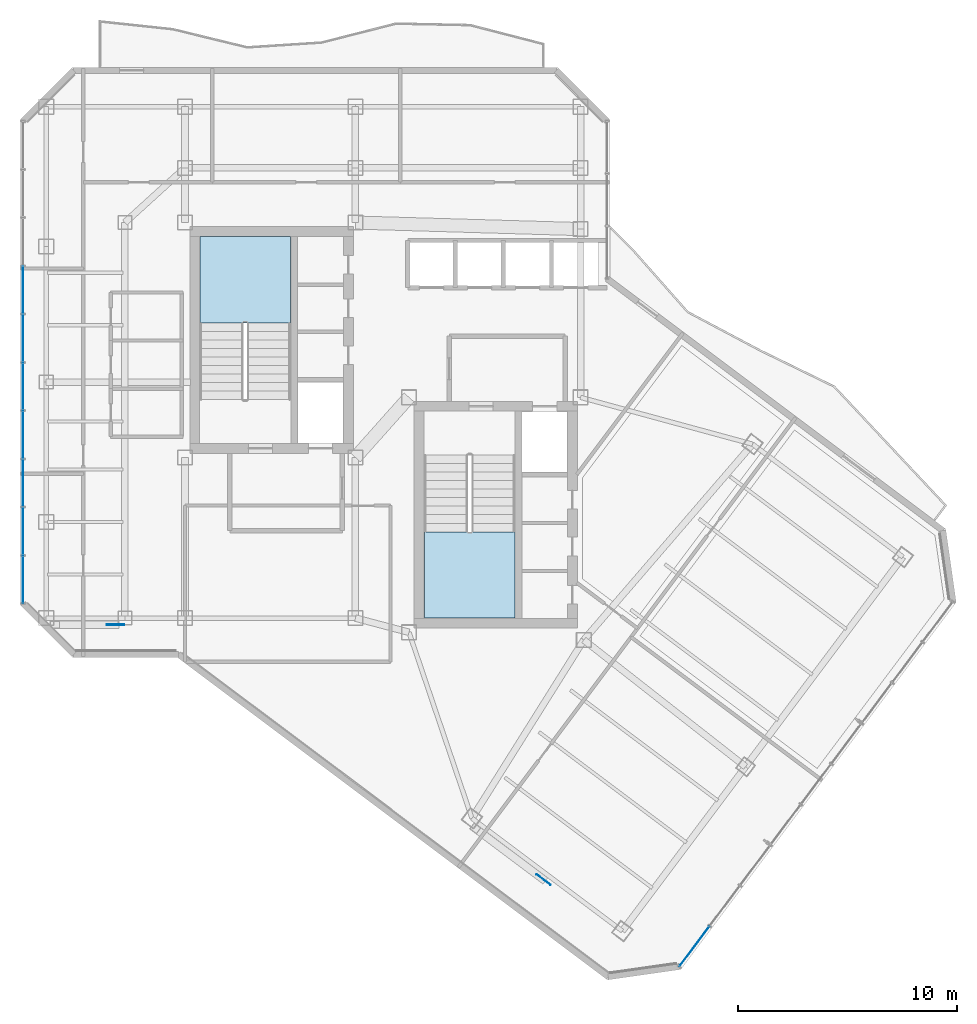
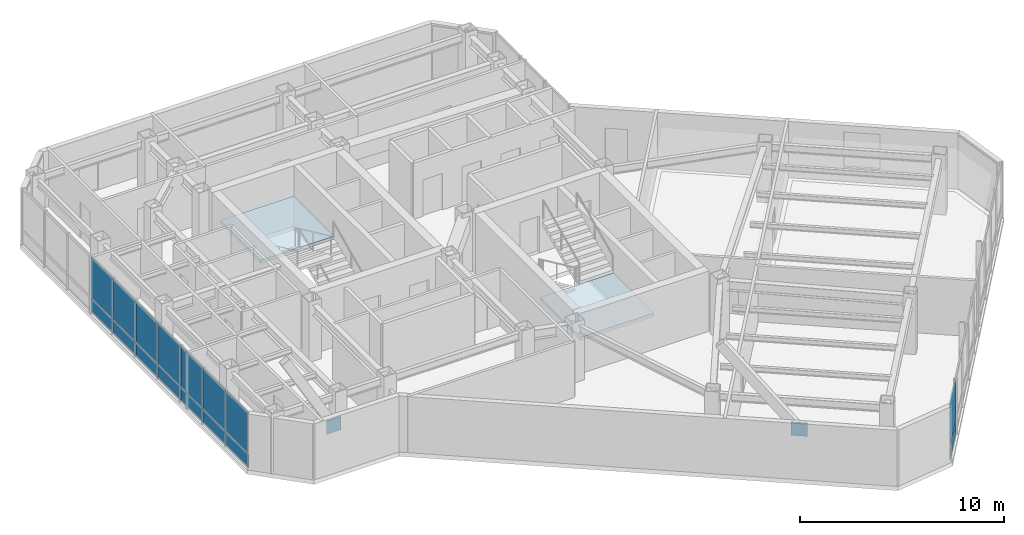
# One storey, part 18 of 25: 18 plates, 2 slabs, 4 elements without a shape of their own.
"""IFC4 building model written with IfcOpenShell, lengths in metres."""

from ifc_helpers import new_model, si_unit, direction, frame, origin, origin_2d, place, context, subcontext, project, spatial, polyline, rectangle, outline, extrude, material, layer, layer_set, type_object, element, aggregate, save


model = new_model("IFC4")

# Units and contexts
model_context = context("Model", 3, precision=1e-05, world=origin(), true_north=direction((0.0, 1.0)))
body_context = subcontext(model_context, "Body", "Model", "MODEL_VIEW")
ifc_project = project(units=[si_unit("LENGTHUNIT", "METRE"), si_unit("AREAUNIT", "SQUARE_METRE"), si_unit("VOLUMEUNIT", "CUBIC_METRE"), si_unit("PLANEANGLEUNIT", "RADIAN"), si_unit("MASSUNIT", "GRAM", prefix="KILO")], contexts=[model_context])

# Site, building, storey
site_placement = place(None, origin())
site = spatial("IfcSite", under=ifc_project, at=site_placement, CompositionType="ELEMENT")
building_placement = place(site_placement, origin())
building = spatial("IfcBuilding", under=site, at=building_placement, Name="Hatsunagi Terrace Concourse", CompositionType="ELEMENT")
storey_placement = place(building_placement, frame((0.0, 0.0, 216.75)))
storey = spatial("IfcBuildingStorey", under=building, at=storey_placement, Name="L57", CompositionType="ELEMENT", Elevation=216.75)

# Curtain wall, plate
ifc_material_1 = material(Name="Anodised Aluminium Alloy 6063-T5", Category="aluminium")
ifc_layer_1 = layer(ifc_material_1, 0.199951171875)
ifc_layer_set_1 = layer_set([ifc_layer_1], Name="OfficeZone2_CW04")
curtain_wall_type = type_object("IfcCurtainWallType", Name="OfficeZone2_CW04", PredefinedType="NOTDEFINED", material=ifc_layer_set_1)
curtain_wall_1_placement = place(storey_placement, origin())
curtain_wall_1 = element("IfcCurtainWall", 1, at=curtain_wall_1_placement, inside=storey, type_object=curtain_wall_type, Name="Unitised Curtain Wall CW-04 CW-L57-03", PredefinedType="NOTDEFINED")
ifc_material_2 = material(Name="Warm Terracotta Ceramic Spandrel Panel", Category="masonry")
ifc_layer_2 = layer(ifc_material_2, 0.031982421875)
ifc_layer_set_2 = layer_set([ifc_layer_2], Name="CurtainWallSpandrelPanel_32")
plate_type_1 = type_object("IfcPlateType", Name="CurtainWallSpandrelPanel_32", PredefinedType="SHEET", material=ifc_layer_set_2)
plate_1_placement = place(storey_placement, frame((48.85888671875, 10.177978515625, 0.030029296875), z_axis=(0.0, 0.0, 1.0), x_axis=(-0.599969314634, -0.800023013105, 0.0)))
plate_1 = element("IfcPlate", 2, at=plate_1_placement, type_object=plate_type_1, Name="Terracotta Spandrel Panel SPN-01", PredefinedType="SHEET", context=body_context, shape_type="SweptSolid", body=[
    extrude(rectangle(XDim=2.264892578125, YDim=0.031982421875, at=origin_2d()), origin(), (0.0, 0.0, 1.0), 0.7900390625),
])

# Curtain wall, plates
curtain_wall_2_placement = place(storey_placement, origin())
curtain_wall_2 = element("IfcCurtainWall", 3, at=curtain_wall_2_placement, inside=storey, type_object=curtain_wall_type, Name="Unitised Curtain Wall CW-04 CW-L57-08", PredefinedType="NOTDEFINED")
plate_2_placement = place(storey_placement, frame((18.139892578125, 26.9619140625, 0.030029296875), z_axis=(0.0, 0.0, 1.0), x_axis=(0.0, 1.0, 0.0)))
plate_2 = element("IfcPlate", 4, at=plate_2_placement, type_object=plate_type_1, Name="Terracotta Spandrel Panel SPN-01", PredefinedType="SHEET", context=body_context, shape_type="SweptSolid", body=[
    extrude(rectangle(XDim=2.153076171875, YDim=0.031982421875, at=origin_2d()), origin(), (0.0, 0.0, 1.0), 0.7900390625),
])
plate_3_placement = place(storey_placement, frame((18.139892578125, 29.1708984375, 0.030029296875), z_axis=(0.0, 0.0, 1.0), x_axis=(0.0, 1.0, 0.0)))
plate_3 = element("IfcPlate", 5, at=plate_3_placement, type_object=plate_type_1, Name="Terracotta Spandrel Panel SPN-01", PredefinedType="SHEET", context=body_context, shape_type="SweptSolid", body=[
    extrude(rectangle(XDim=2.153076171875, YDim=0.031982421875, at=origin_2d()), origin(), (0.0, 0.0, 1.0), 0.7900390625),
])
plate_4_placement = place(storey_placement, frame((18.139892578125, 31.37890625, 0.030029296875), z_axis=(0.0, 0.0, 1.0), x_axis=(0.0, 1.0, 0.0)))
plate_4 = element("IfcPlate", 6, at=plate_4_placement, type_object=plate_type_1, Name="Terracotta Spandrel Panel SPN-01", PredefinedType="SHEET", context=body_context, shape_type="SweptSolid", body=[
    extrude(rectangle(XDim=2.153076171875, YDim=0.031982421875, at=origin_2d()), origin(), (0.0, 0.0, 1.0), 0.7900390625),
])
plate_5_placement = place(storey_placement, frame((18.139892578125, 33.5869140625, 0.030029296875), z_axis=(0.0, 0.0, 1.0), x_axis=(0.0, 1.0, 0.0)))
plate_5 = element("IfcPlate", 7, at=plate_5_placement, type_object=plate_type_1, Name="Terracotta Spandrel Panel SPN-01", PredefinedType="SHEET", context=body_context, shape_type="SweptSolid", body=[
    extrude(rectangle(XDim=2.153076171875, YDim=0.031982421875, at=origin_2d()), origin(), (0.0, 0.0, 1.0), 0.7900390625),
])
plate_6_placement = place(storey_placement, frame((18.139892578125, 35.7958984375, 0.030029296875), z_axis=(0.0, 0.0, 1.0), x_axis=(0.0, 1.0, 0.0)))
plate_6 = element("IfcPlate", 8, at=plate_6_placement, type_object=plate_type_1, Name="Terracotta Spandrel Panel SPN-01", PredefinedType="SHEET", context=body_context, shape_type="SweptSolid", body=[
    extrude(rectangle(XDim=2.153076171875, YDim=0.031982421875, at=origin_2d()), origin(), (0.0, 0.0, 1.0), 0.7900390625),
])
plate_7_placement = place(storey_placement, frame((18.139892578125, 38.00390625, 0.030029296875), z_axis=(0.0, 0.0, 1.0), x_axis=(0.0, 1.0, 0.0)))
plate_7 = element("IfcPlate", 9, at=plate_7_placement, type_object=plate_type_1, Name="Terracotta Spandrel Panel SPN-01", PredefinedType="SHEET", context=body_context, shape_type="SweptSolid", body=[
    extrude(rectangle(XDim=2.153076171875, YDim=0.031982421875, at=origin_2d()), origin(), (0.0, 0.0, 1.0), 0.7900390625),
])
plate_8_placement = place(storey_placement, frame((18.139892578125, 40.212890625, 0.030029296875), z_axis=(0.0, 0.0, 1.0), x_axis=(0.0, 1.0, 0.0)))
plate_8 = element("IfcPlate", 10, at=plate_8_placement, type_object=plate_type_1, Name="Terracotta Spandrel Panel SPN-01", PredefinedType="SHEET", context=body_context, shape_type="SweptSolid", body=[
    extrude(rectangle(XDim=2.153076171875, YDim=0.031982421875, at=origin_2d()), origin(), (0.0, 0.0, 1.0), 0.7900390625),
])

# Plate
ifc_material_3 = material(Name="Low-E Double Insulating Glass 28mm", Category="glass")
ifc_layer_3 = layer(ifc_material_3, 0.028076171875)
ifc_layer_set_3 = layer_set([ifc_layer_3], Name="CurtainWallVisionGlass_28")
plate_type_2 = type_object("IfcPlateType", Name="CurtainWallVisionGlass_28", PredefinedType="CURTAIN_PANEL", material=ifc_layer_set_3)
plate_9_placement = place(storey_placement, frame((48.85888671875, 10.177978515625, 0.880126953125), z_axis=(0.0, 0.0, 1.0), x_axis=(-0.599969314634, -0.800023013105, 0.0)))
plate_9 = element("IfcPlate", 11, at=plate_9_placement, type_object=plate_type_2, Name="Low-E Vision Glass Panel GLZ-01", PredefinedType="CURTAIN_PANEL", context=body_context, shape_type="SweptSolid", body=[
    extrude(rectangle(XDim=2.264892578125, YDim=0.028076171875, at=origin_2d()), origin(), (0.0, 0.0, 1.0), 2.43994140625),
])

aggregate(curtain_wall_1, [plate_1, plate_9])

plate_10_placement = place(storey_placement, frame((18.139892578125, 26.9619140625, 0.880126953125), z_axis=(0.0, 0.0, 1.0), x_axis=(0.0, 1.0, 0.0)))
plate_10 = element("IfcPlate", 12, at=plate_10_placement, type_object=plate_type_2, Name="Low-E Vision Glass Panel GLZ-01", PredefinedType="CURTAIN_PANEL", context=body_context, shape_type="SweptSolid", body=[
    extrude(rectangle(XDim=2.153076171875, YDim=0.028076171875, at=origin_2d()), origin(), (0.0, 0.0, 1.0), 2.43994140625),
])

plate_11_placement = place(storey_placement, frame((18.139892578125, 29.1708984375, 0.880126953125), z_axis=(0.0, 0.0, 1.0), x_axis=(0.0, 1.0, 0.0)))
plate_11 = element("IfcPlate", 13, at=plate_11_placement, type_object=plate_type_2, Name="Low-E Vision Glass Panel GLZ-01", PredefinedType="CURTAIN_PANEL", context=body_context, shape_type="SweptSolid", body=[
    extrude(rectangle(XDim=2.153076171875, YDim=0.028076171875, at=origin_2d()), origin(), (0.0, 0.0, 1.0), 2.43994140625),
])

plate_12_placement = place(storey_placement, frame((18.139892578125, 31.37890625, 0.880126953125), z_axis=(0.0, 0.0, 1.0), x_axis=(0.0, 1.0, 0.0)))
plate_12 = element("IfcPlate", 14, at=plate_12_placement, type_object=plate_type_2, Name="Low-E Vision Glass Panel GLZ-01", PredefinedType="CURTAIN_PANEL", context=body_context, shape_type="SweptSolid", body=[
    extrude(rectangle(XDim=2.153076171875, YDim=0.028076171875, at=origin_2d()), origin(), (0.0, 0.0, 1.0), 2.43994140625),
])

plate_13_placement = place(storey_placement, frame((18.139892578125, 33.5869140625, 0.880126953125), z_axis=(0.0, 0.0, 1.0), x_axis=(0.0, 1.0, 0.0)))
plate_13 = element("IfcPlate", 15, at=plate_13_placement, type_object=plate_type_2, Name="Low-E Vision Glass Panel GLZ-01", PredefinedType="CURTAIN_PANEL", context=body_context, shape_type="SweptSolid", body=[
    extrude(rectangle(XDim=2.153076171875, YDim=0.028076171875, at=origin_2d()), origin(), (0.0, 0.0, 1.0), 2.43994140625),
])

plate_14_placement = place(storey_placement, frame((18.139892578125, 35.7958984375, 0.880126953125), z_axis=(0.0, 0.0, 1.0), x_axis=(0.0, 1.0, 0.0)))
plate_14 = element("IfcPlate", 16, at=plate_14_placement, type_object=plate_type_2, Name="Low-E Vision Glass Panel GLZ-01", PredefinedType="CURTAIN_PANEL", context=body_context, shape_type="SweptSolid", body=[
    extrude(rectangle(XDim=2.153076171875, YDim=0.028076171875, at=origin_2d()), origin(), (0.0, 0.0, 1.0), 2.43994140625),
])

plate_15_placement = place(storey_placement, frame((18.139892578125, 38.00390625, 0.880126953125), z_axis=(0.0, 0.0, 1.0), x_axis=(0.0, 1.0, 0.0)))
plate_15 = element("IfcPlate", 17, at=plate_15_placement, type_object=plate_type_2, Name="Low-E Vision Glass Panel GLZ-01", PredefinedType="CURTAIN_PANEL", context=body_context, shape_type="SweptSolid", body=[
    extrude(rectangle(XDim=2.153076171875, YDim=0.028076171875, at=origin_2d()), origin(), (0.0, 0.0, 1.0), 2.43994140625),
])

plate_16_placement = place(storey_placement, frame((18.139892578125, 40.212890625, 0.880126953125), z_axis=(0.0, 0.0, 1.0), x_axis=(0.0, 1.0, 0.0)))
plate_16 = element("IfcPlate", 18, at=plate_16_placement, type_object=plate_type_2, Name="Low-E Vision Glass Panel GLZ-01", PredefinedType="CURTAIN_PANEL", context=body_context, shape_type="SweptSolid", body=[
    extrude(rectangle(XDim=2.153076171875, YDim=0.028076171875, at=origin_2d()), origin(), (0.0, 0.0, 1.0), 2.43994140625),
])

aggregate(curtain_wall_2, [plate_2, plate_10, plate_3, plate_11, plate_4, plate_12, plate_5, plate_13, plate_6, plate_14, plate_7, plate_15, plate_8, plate_16])

# Stair, slab
ifc_material_4 = material(Name="Concrete Fc42", Category="concrete")
stair_type = type_object("IfcStairType", Name="DoglegExitStair_Tower2000_20R_180", PredefinedType="HALF_TURN_STAIR", material=ifc_material_4)
stair_1_placement = place(storey_placement, origin())
stair_1 = element("IfcStair", 19, at=stair_1_placement, inside=storey, type_object=stair_type, Name="L57 Core A Protected Exit Stair ST-A", PredefinedType="HALF_TURN_STAIR")
ifc_material_5 = material(Name="Concrete Fc42", Category="concrete")
ifc_layer_4 = layer(ifc_material_5, 0.199951171875)
ifc_layer_set_4 = layer_set([ifc_layer_4], Name="DoglegStairLanding_Tower2000")
slab_type = type_object("IfcSlabType", Name="DoglegStairLanding_Tower2000", PredefinedType="LANDING", material=ifc_layer_set_4)
slab_1_placement = place(storey_placement, frame((0.0, 0.0, 1.60009765625)))
slab_1 = element("IfcSlab", 20, at=slab_1_placement, type_object=slab_type, Name="ST-A landing 1", PredefinedType="LANDING", context=body_context, shape_type="SweptSolid", body=[
    extrude(outline(polyline([(30.3798828125, 38.7099609375), (30.3798828125, 42.659912109375), (26.22998046875, 42.659912109375), (26.22998046875, 38.7099609375), (30.3798828125, 38.7099609375)])), origin(), (0.0, 0.0, 1.0), 0.199951171875),
])
aggregate(stair_1, [slab_1])

stair_2_placement = place(storey_placement, origin())
stair_2 = element("IfcStair", 21, at=stair_2_placement, inside=storey, type_object=stair_type, Name="L57 Core B Protected Exit Stair ST-B", PredefinedType="HALF_TURN_STAIR")
slab_2_placement = place(storey_placement, frame((0.0, 0.0, 1.60009765625)))
slab_2 = element("IfcSlab", 22, at=slab_2_placement, type_object=slab_type, Name="ST-B landing 1", PredefinedType="LANDING", context=body_context, shape_type="SweptSolid", body=[
    extrude(outline(polyline([(36.5, 29.14990234375), (36.5, 25.199951171875), (40.64990234375, 25.199951171875), (40.64990234375, 29.14990234375), (36.5, 29.14990234375)])), origin(), (0.0, 0.0, 1.0), 0.199951171875),
])
aggregate(stair_2, [slab_2])

# Plates
ifc_material_6 = material(Name="Steel SN490C", Category="steel")
ifc_layer_5 = layer(ifc_material_6, 0.031982421875)
ifc_layer_set_5 = layer_set([ifc_layer_5], Name="XBraceNodeCapPlate_32")
plate_type_3 = type_object("IfcPlateType", Name="XBraceNodeCapPlate_32", PredefinedType="USERDEFINED", material=ifc_layer_set_5)
for number, where, z_axis, x_axis, name in (
    (23, (22.375, 24.89990234375, 1.27490234375), (0.0, 0.0, 1.0), (1.0, 0.0, 0.0), "X-Brace Crossing Gusset Node Plate GP-02 XB-L56-W1"),
    (24, (41.951904296875, 13.236083984375, 1.27490234375), (0.0, 0.0, 1.0), (0.799999996291, -0.600000004945, 0.0), "X-Brace Crossing Gusset Node Plate GP-02 XB-L56-SE"),
):
    element("IfcPlate", number, at=place(storey_placement, frame(where, z_axis=z_axis, x_axis=x_axis)), inside=storey, type_object=plate_type_3, Name=name, ObjectType="GUSSET_PLATE", PredefinedType="USERDEFINED", context=body_context, shape_type="SweptSolid", body=[
        extrude(rectangle(XDim=0.800048828125, YDim=0.031982421875, at=origin_2d()), origin(), (0.0, 0.0, 1.0), 0.800048828125),
    ])

save(model, "model.ifc")
